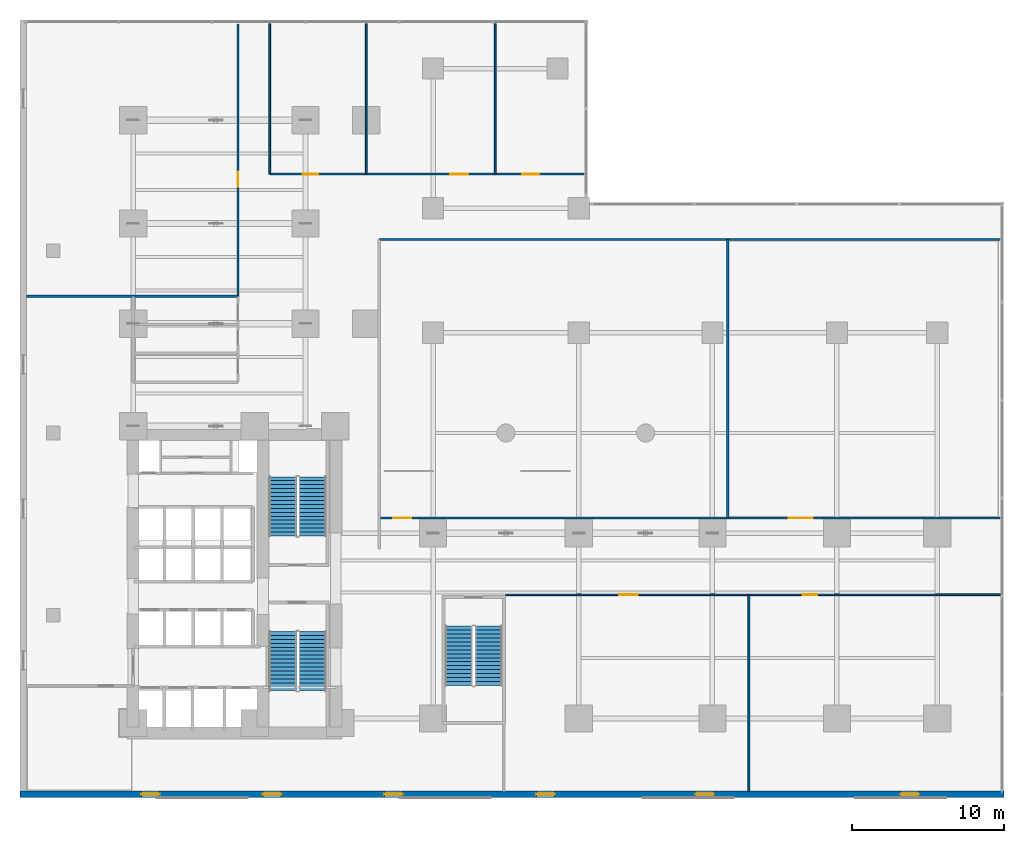
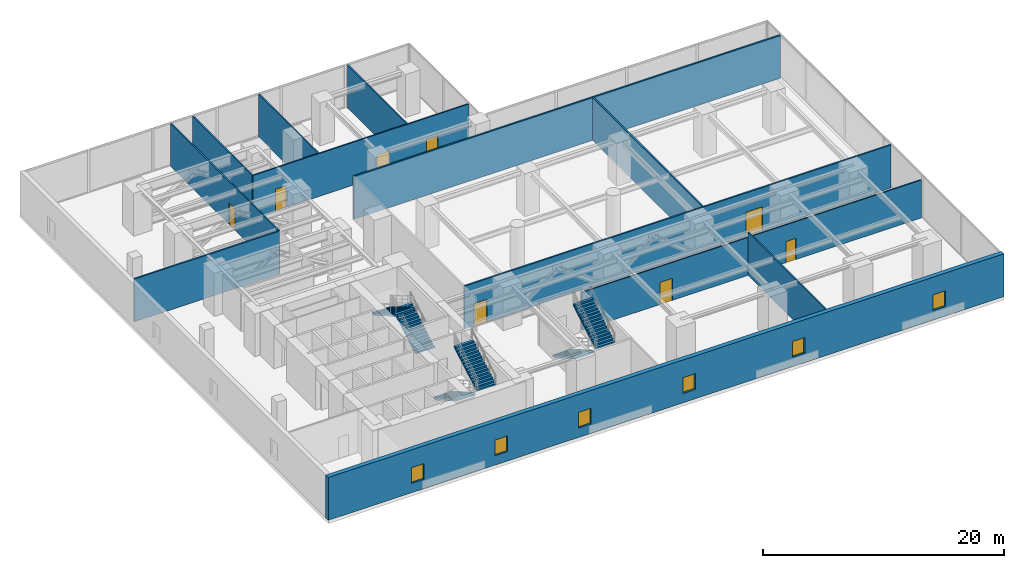
# One storey, part 16 of 18: 12 walls, 8 doors, 6 stair flights, 6 windows, 14 openings, 3 elements without a shape of their own.
"""IFC4 building model written with IfcOpenShell, lengths in metres."""

from ifc_helpers import new_model, si_unit, direction, frame, frame_2d, origin, place, context, subcontext, project, spatial, polyline, rectangle, outline, extrude, material, layer, layer_set, type_object, element, fill, aggregate, save


model = new_model("IFC4")

# Units and contexts
model_context = context("Model", 3, precision=1e-05, world=origin(), true_north=direction((0.0, 1.0)))
body_context = subcontext(model_context, "Body", "Model", "MODEL_VIEW")
ifc_project = project(units=[si_unit("LENGTHUNIT", "METRE"), si_unit("AREAUNIT", "SQUARE_METRE"), si_unit("VOLUMEUNIT", "CUBIC_METRE"), si_unit("PLANEANGLEUNIT", "RADIAN"), si_unit("MASSUNIT", "GRAM", prefix="KILO")], contexts=[model_context])

# Site, building, storey
site_placement = place(None, origin())
site = spatial("IfcSite", under=ifc_project, at=site_placement, CompositionType="ELEMENT")
building_placement = place(site_placement, origin())
building = spatial("IfcBuilding", under=site, at=building_placement, Name="Kolvaren Waterfront Exchange", CompositionType="ELEMENT")
storey_placement = place(building_placement, frame((0.0, 0.0, 24.800048828125)))
storey = spatial("IfcBuildingStorey", under=building, at=storey_placement, Name="L06", CompositionType="ELEMENT", Elevation=24.800048828125)

# Wall, openings, windows
ifc_material_1 = material(Name="Precast concrete C40/50", Category="concrete")
ifc_layer_1 = layer(ifc_material_1, 0.419921875, Name="Precast concrete C40/50")
ifc_layer_set_1 = layer_set([ifc_layer_1], Name="Precast concrete C40/50")
wall_type_1 = type_object("IfcWallType", Name="ARC-EXT-GRANITE-420", PredefinedType="SOLIDWALL", material=ifc_layer_set_1)
wall_1_placement = place(storey_placement, frame((0.0, 0.2099609375, 0.0), z_axis=(0.0, 0.0, 1.0), x_axis=(1.0, 0.0, 0.0)))
wall_1 = element("IfcWall", 1, at=wall_1_placement, inside=storey, type_object=wall_type_1, Name="L06 south granite precast facade wall", PredefinedType="SOLIDWALL", context=body_context, shape_type="SweptSolid", body=[
    extrude(rectangle(XDim=64.800048828125, YDim=0.419921875, at=frame_2d((32.39990234375, 0.0))), origin(), (0.0, 0.0, 1.0), 4.349853515625),
])
opening_1_placement = place(wall_1_placement, frame((8.0, 0.0, 0.949951171875)))
opening_1 = element("IfcOpeningElement", 2, at=opening_1_placement, cuts=wall_1, Name="Opening W01", PredefinedType="OPENING", context=body_context, shape_type="SweptSolid", body=[
    extrude(rectangle(XDim=1.199951171875, YDim=1.60009765625, at=frame_2d((0.60009765625, 0.800048828125))), frame((0.0, 0.219970703125, 0.0), z_axis=(0.0, -1.0, 0.0), x_axis=(1.0, 0.0, 0.0)), (0.0, 0.0, 1.0), 0.43994140625),
])
opening_2_placement = place(wall_1_placement, frame((16.0, 0.0, 0.949951171875)))
opening_2 = element("IfcOpeningElement", 3, at=opening_2_placement, cuts=wall_1, Name="Opening W01", PredefinedType="OPENING", context=body_context, shape_type="SweptSolid", body=[
    extrude(rectangle(XDim=1.199951171875, YDim=1.60009765625, at=frame_2d((0.60009765625, 0.800048828125))), frame((0.0, 0.219970703125, 0.0), z_axis=(0.0, -1.0, 0.0), x_axis=(1.0, 0.0, 0.0)), (0.0, 0.0, 1.0), 0.43994140625),
])
opening_3_placement = place(wall_1_placement, frame((24.0, 0.0, 0.949951171875)))
opening_3 = element("IfcOpeningElement", 4, at=opening_3_placement, cuts=wall_1, Name="Opening W01", PredefinedType="OPENING", context=body_context, shape_type="SweptSolid", body=[
    extrude(rectangle(XDim=1.199951171875, YDim=1.60009765625, at=frame_2d((0.60009765625, 0.800048828125))), frame((0.0, 0.219970703125, 0.0), z_axis=(0.0, -1.0, 0.0), x_axis=(1.0, 0.0, 0.0)), (0.0, 0.0, 1.0), 0.43994140625),
])
opening_4_placement = place(wall_1_placement, frame((34.0, 0.0, 0.949951171875)))
opening_4 = element("IfcOpeningElement", 5, at=opening_4_placement, cuts=wall_1, Name="Opening W01", PredefinedType="OPENING", context=body_context, shape_type="SweptSolid", body=[
    extrude(rectangle(XDim=1.199951171875, YDim=1.60009765625, at=frame_2d((0.60009765625, 0.800048828125))), frame((0.0, 0.219970703125, 0.0), z_axis=(0.0, -1.0, 0.0), x_axis=(1.0, 0.0, 0.0)), (0.0, 0.0, 1.0), 0.43994140625),
])
opening_5_placement = place(wall_1_placement, frame((44.5, 0.0, 0.949951171875)))
opening_5 = element("IfcOpeningElement", 6, at=opening_5_placement, cuts=wall_1, Name="Opening W01", PredefinedType="OPENING", context=body_context, shape_type="SweptSolid", body=[
    extrude(rectangle(XDim=1.199951171875, YDim=1.60009765625, at=frame_2d((0.60009765625, 0.800048828125))), frame((0.0, 0.219970703125, 0.0), z_axis=(0.0, -1.0, 0.0), x_axis=(1.0, 0.0, 0.0)), (0.0, 0.0, 1.0), 0.43994140625),
])
opening_6_placement = place(wall_1_placement, frame((58.0, 0.0, 0.949951171875)))
opening_6 = element("IfcOpeningElement", 7, at=opening_6_placement, cuts=wall_1, Name="Opening W01", PredefinedType="OPENING", context=body_context, shape_type="SweptSolid", body=[
    extrude(rectangle(XDim=1.199951171875, YDim=1.60009765625, at=frame_2d((0.60009765625, 0.800048828125))), frame((0.0, 0.219970703125, 0.0), z_axis=(0.0, -1.0, 0.0), x_axis=(1.0, 0.0, 0.0)), (0.0, 0.0, 1.0), 0.43994140625),
])
ifc_material_2 = material(Name="Bronze solar control vision glass", Category="aluminium")
window_type = type_object("IfcWindowType", Name="ARC-WIN-1200x1600", PartitioningType="SINGLE_PANEL", PredefinedType="WINDOW", material=ifc_material_2)
window_1_placement = place(opening_1_placement, origin())
window_1 = element("IfcWindow", 8, at=window_1_placement, inside=storey, type_object=window_type, Name="L06 south modular window 1", OverallHeight=1.60009765625, OverallWidth=1.199951171875, PartitioningType="SINGLE_PANEL", PredefinedType="WINDOW", context=body_context, shape_type="SweptSolid", body=[
    extrude(rectangle(XDim=1.199951171875, YDim=1.60009765625, at=frame_2d((0.60009765625, 0.800048828125))), frame((0.0, 0.030029296875, 0.0), z_axis=(0.0, -1.0, 0.0), x_axis=(1.0, 0.0, 0.0)), (0.0, 0.0, 1.0), 0.06005859375),
])
fill(opening_1, window_1)
window_2_placement = place(opening_2_placement, origin())
window_2 = element("IfcWindow", 9, at=window_2_placement, inside=storey, type_object=window_type, Name="L06 south modular window 2", OverallHeight=1.60009765625, OverallWidth=1.199951171875, PartitioningType="SINGLE_PANEL", PredefinedType="WINDOW", context=body_context, shape_type="SweptSolid", body=[
    extrude(rectangle(XDim=1.199951171875, YDim=1.60009765625, at=frame_2d((0.60009765625, 0.800048828125))), frame((0.0, 0.030029296875, 0.0), z_axis=(0.0, -1.0, 0.0), x_axis=(1.0, 0.0, 0.0)), (0.0, 0.0, 1.0), 0.06005859375),
])
fill(opening_2, window_2)
window_3_placement = place(opening_3_placement, origin())
window_3 = element("IfcWindow", 10, at=window_3_placement, inside=storey, type_object=window_type, Name="L06 south modular window 3", OverallHeight=1.60009765625, OverallWidth=1.199951171875, PartitioningType="SINGLE_PANEL", PredefinedType="WINDOW", context=body_context, shape_type="SweptSolid", body=[
    extrude(rectangle(XDim=1.199951171875, YDim=1.60009765625, at=frame_2d((0.60009765625, 0.800048828125))), frame((0.0, 0.030029296875, 0.0), z_axis=(0.0, -1.0, 0.0), x_axis=(1.0, 0.0, 0.0)), (0.0, 0.0, 1.0), 0.06005859375),
])
fill(opening_3, window_3)
window_4_placement = place(opening_4_placement, origin())
window_4 = element("IfcWindow", 11, at=window_4_placement, inside=storey, type_object=window_type, Name="L06 south modular window 4", OverallHeight=1.60009765625, OverallWidth=1.199951171875, PartitioningType="SINGLE_PANEL", PredefinedType="WINDOW", context=body_context, shape_type="SweptSolid", body=[
    extrude(rectangle(XDim=1.199951171875, YDim=1.60009765625, at=frame_2d((0.60009765625, 0.800048828125))), frame((0.0, 0.030029296875, 0.0), z_axis=(0.0, -1.0, 0.0), x_axis=(1.0, 0.0, 0.0)), (0.0, 0.0, 1.0), 0.06005859375),
])
fill(opening_4, window_4)
window_5_placement = place(opening_5_placement, origin())
window_5 = element("IfcWindow", 12, at=window_5_placement, inside=storey, type_object=window_type, Name="L06 south modular window 5", OverallHeight=1.60009765625, OverallWidth=1.199951171875, PartitioningType="SINGLE_PANEL", PredefinedType="WINDOW", context=body_context, shape_type="SweptSolid", body=[
    extrude(rectangle(XDim=1.199951171875, YDim=1.60009765625, at=frame_2d((0.60009765625, 0.800048828125))), frame((0.0, 0.030029296875, 0.0), z_axis=(0.0, -1.0, 0.0), x_axis=(1.0, 0.0, 0.0)), (0.0, 0.0, 1.0), 0.06005859375),
])
fill(opening_5, window_5)
window_6_placement = place(opening_6_placement, origin())
window_6 = element("IfcWindow", 13, at=window_6_placement, inside=storey, type_object=window_type, Name="L06 south modular window 6", OverallHeight=1.60009765625, OverallWidth=1.199951171875, PartitioningType="SINGLE_PANEL", PredefinedType="WINDOW", context=body_context, shape_type="SweptSolid", body=[
    extrude(rectangle(XDim=1.199951171875, YDim=1.60009765625, at=frame_2d((0.60009765625, 0.800048828125))), frame((0.0, 0.030029296875, 0.0), z_axis=(0.0, -1.0, 0.0), x_axis=(1.0, 0.0, 0.0)), (0.0, 0.0, 1.0), 0.06005859375),
])
fill(opening_6, window_6)

# Wall, openings, doors
ifc_material_3 = material(Name="Acoustic gypsum steel stud", Category="steel")
ifc_layer_2 = layer(ifc_material_3, 0.125, Name="Acoustic gypsum steel stud")
ifc_layer_set_2 = layer_set([ifc_layer_2], Name="Acoustic gypsum steel stud")
wall_type_2 = type_object("IfcWallType", Name="ARC-PART-125", PredefinedType="PARTITIONING", material=ifc_layer_set_2)
wall_2_placement = place(storey_placement, frame((32.0, 13.35009765625, 0.0), z_axis=(0.0, 0.0, 1.0), x_axis=(1.0, 0.0, 0.0)))
wall_2 = element("IfcWall", 14, at=wall_2_placement, inside=storey, type_object=wall_type_2, Name="L06 interior wall PW-L06-POD-SE-N", PredefinedType="PARTITIONING", context=body_context, shape_type="SweptSolid", body=[
    extrude(rectangle(XDim=32.550048828125, YDim=0.125, at=frame_2d((16.27490234375, 0.0))), origin(), (0.0, 0.0, 1.0), 3.849853515625),
])
opening_7_placement = place(wall_2_placement, frame((7.47021484375, 0.0, 0.0)))
opening_7 = element("IfcOpeningElement", 15, at=opening_7_placement, cuts=wall_2, Name="Opening D05", PredefinedType="OPENING", context=body_context, shape_type="SweptSolid", body=[
    extrude(rectangle(XDim=1.199951171875, YDim=2.25, at=frame_2d((0.60009765625, 1.125))), frame((0.0, 0.072509765625, 0.0), z_axis=(0.0, -1.0, 0.0), x_axis=(1.0, 0.0, 0.0)), (0.0, 0.0, 1.0), 0.14501953125),
])
opening_8_placement = place(wall_2_placement, frame((19.5546875, 0.0, 0.0)))
opening_8 = element("IfcOpeningElement", 16, at=opening_8_placement, cuts=wall_2, Name="Opening D02", PredefinedType="OPENING", context=body_context, shape_type="SweptSolid", body=[
    extrude(rectangle(XDim=0.949951171875, YDim=2.14990234375, at=frame_2d((0.47509765625, 1.074951171875))), frame((0.0, 0.072509765625, 0.0), z_axis=(0.0, -1.0, 0.0), x_axis=(1.0, 0.0, 0.0)), (0.0, 0.0, 1.0), 0.14501953125),
])
ifc_material_4 = material(Name="Anodised bronze framed glass", Category="aluminium")
door_type_1 = type_object("IfcDoorType", Name="ARC-DR-1200", OperationType="NOTDEFINED", PredefinedType="DOOR", material=ifc_material_4)
door_1_placement = place(opening_7_placement, origin())
door_1 = element("IfcDoor", 17, at=door_1_placement, inside=storey, type_object=door_type_1, Name="L06 door DR-L06-PCONF-D (D05)", OperationType="SINGLE_SWING_RIGHT", OverallHeight=2.25, OverallWidth=1.199951171875, PredefinedType="DOOR", context=body_context, shape_type="SweptSolid", body=[
    extrude(rectangle(XDim=1.199951171875, YDim=2.25, at=frame_2d((0.60009765625, 1.125))), frame((0.0, 0.02490234375, 0.0), z_axis=(0.0, -1.0, 0.0), x_axis=(1.0, 0.0, 0.0)), (0.0, 0.0, 1.0), 0.050048828125),
])
fill(opening_7, door_1)
ifc_material_5 = material(Name="Oak veneer acoustic timber", Category="wood")
door_type_2 = type_object("IfcDoorType", Name="ARC-DR-950", OperationType="NOTDEFINED", PredefinedType="DOOR", material=ifc_material_5)
door_2_placement = place(opening_8_placement, origin())
door_2 = element("IfcDoor", 18, at=door_2_placement, inside=storey, type_object=door_type_2, Name="L06 door DR-L06-PPANT-D (D02)", OperationType="SINGLE_SWING_LEFT", OverallHeight=2.14990234375, OverallWidth=0.949951171875, PredefinedType="DOOR", context=body_context, shape_type="SweptSolid", body=[
    extrude(rectangle(XDim=0.949951171875, YDim=2.14990234375, at=frame_2d((0.47509765625, 1.074951171875))), frame((0.0, 0.02490234375, 0.0), z_axis=(0.0, -1.0, 0.0), x_axis=(1.0, 0.0, 0.0)), (0.0, 0.0, 1.0), 0.050048828125),
])
fill(opening_8, door_2)

# Wall
wall_3_placement = place(storey_placement, frame((48.0, 0.419921875, 0.0), z_axis=(0.0, 0.0, 1.0), x_axis=(0.0, 1.0, 0.0)))
element("IfcWall", 19, at=wall_3_placement, inside=storey, type_object=wall_type_2, Name="L06 interior wall PW-L06-POD-SE-MID", PredefinedType="PARTITIONING", context=body_context, shape_type="SweptSolid", body=[
    extrude(rectangle(XDim=12.93017578125, YDim=0.125, at=frame_2d((6.465087890625, 0.0))), origin(), (0.0, 0.0, 1.0), 4.349853515625),
])

# Wall, opening, door
wall_4_placement = place(storey_placement, frame((14.35009765625, 33.0, 0.0), z_axis=(0.0, 0.0, 1.0), x_axis=(0.0, 1.0, 0.0)))
wall_4 = element("IfcWall", 20, at=wall_4_placement, inside=storey, type_object=wall_type_2, Name="L06 interior wall PW-L06-POD-NW-E", PredefinedType="PARTITIONING", context=body_context, shape_type="SweptSolid", body=[
    extrude(rectangle(XDim=17.949951171875, YDim=0.125, at=frame_2d((8.97509765625, 0.0))), origin(), (0.0, 0.0, 1.0), 4.349853515625),
])
opening_9_placement = place(wall_4_placement, frame((7.220458984375, 0.0, 0.0)))
opening_9 = element("IfcOpeningElement", 21, at=opening_9_placement, cuts=wall_4, Name="Opening D03", PredefinedType="OPENING", context=body_context, shape_type="SweptSolid", body=[
    extrude(rectangle(XDim=1.0, YDim=2.199951171875, at=frame_2d((0.5, 1.10009765625))), frame((0.0, 0.072509765625, 0.0), z_axis=(0.0, -1.0, 0.0), x_axis=(1.0, 0.0, 0.0)), (0.0, 0.0, 1.0), 0.14501953125),
])
ifc_material_6 = material(Name="Oak veneer accessible timber", Category="wood")
door_type_3 = type_object("IfcDoorType", Name="ARC-DR-1000", OperationType="NOTDEFINED", PredefinedType="DOOR", material=ifc_material_6)
door_3_placement = place(opening_9_placement, origin())
door_3 = element("IfcDoor", 22, at=door_3_placement, inside=storey, type_object=door_type_3, Name="L06 door DR-L06-PIT-D (D03)", OperationType="SINGLE_SWING_RIGHT", OverallHeight=2.199951171875, OverallWidth=1.0, PredefinedType="DOOR", context=body_context, shape_type="SweptSolid", body=[
    extrude(rectangle(XDim=1.0, YDim=2.199951171875, at=frame_2d((0.5, 1.10009765625))), frame((0.0, 0.02490234375, 0.0), z_axis=(0.0, -1.0, 0.0), x_axis=(1.0, 0.0, 0.0)), (0.0, 0.0, 1.0), 0.050048828125),
])
fill(opening_9, door_3)

# Wall, openings, doors
wall_5_placement = place(storey_placement, frame((16.449951171875, 41.050048828125, 0.0), z_axis=(0.0, 0.0, 1.0), x_axis=(1.0, 0.0, 0.0)))
wall_5 = element("IfcWall", 23, at=wall_5_placement, inside=storey, type_object=wall_type_2, Name="L06 interior wall PW-L06-POD-NE-S", PredefinedType="PARTITIONING", context=body_context, shape_type="SweptSolid", body=[
    extrude(rectangle(XDim=20.699951171875, YDim=0.125, at=frame_2d((10.35009765625, 0.0))), origin(), (0.0, 0.0, 1.0), 4.349853515625),
])
opening_10_placement = place(wall_5_placement, frame((2.177978515625, 0.0, 0.0)))
opening_10 = element("IfcOpeningElement", 24, at=opening_10_placement, cuts=wall_5, Name="Opening D03", PredefinedType="OPENING", context=body_context, shape_type="SweptSolid", body=[
    extrude(rectangle(XDim=1.0, YDim=2.199951171875, at=frame_2d((0.5, 1.10009765625))), frame((0.0, 0.072509765625, 0.0), z_axis=(0.0, -1.0, 0.0), x_axis=(1.0, 0.0, 0.0)), (0.0, 0.0, 1.0), 0.14501953125),
])
opening_11_placement = place(wall_5_placement, frame((11.880859375, 0.0, 0.0)))
opening_11 = element("IfcOpeningElement", 25, at=opening_11_placement, cuts=wall_5, Name="Opening D05", PredefinedType="OPENING", context=body_context, shape_type="SweptSolid", body=[
    extrude(rectangle(XDim=1.199951171875, YDim=2.25, at=frame_2d((0.60009765625, 1.125))), frame((0.0, 0.072509765625, 0.0), z_axis=(0.0, -1.0, 0.0), x_axis=(1.0, 0.0, 0.0)), (0.0, 0.0, 1.0), 0.14501953125),
])
opening_12_placement = place(wall_5_placement, frame((16.62890625, 0.0, 0.0)))
opening_12 = element("IfcOpeningElement", 26, at=opening_12_placement, cuts=wall_5, Name="Opening D04", PredefinedType="OPENING", context=body_context, shape_type="SweptSolid", body=[
    extrude(rectangle(XDim=1.10009765625, YDim=2.199951171875, at=frame_2d((0.550048828125, 1.10009765625))), frame((0.0, 0.072509765625, 0.0), z_axis=(0.0, -1.0, 0.0), x_axis=(1.0, 0.0, 0.0)), (0.0, 0.0, 1.0), 0.14501953125),
])
door_4_placement = place(opening_10_placement, origin())
door_4 = element("IfcDoor", 27, at=door_4_placement, inside=storey, type_object=door_type_3, Name="L06 door DR-L06-POPS-D (D03)", OperationType="SINGLE_SWING_LEFT", OverallHeight=2.199951171875, OverallWidth=1.0, PredefinedType="DOOR", context=body_context, shape_type="SweptSolid", body=[
    extrude(rectangle(XDim=1.0, YDim=2.199951171875, at=frame_2d((0.5, 1.10009765625))), frame((0.0, 0.02490234375, 0.0), z_axis=(0.0, -1.0, 0.0), x_axis=(1.0, 0.0, 0.0)), (0.0, 0.0, 1.0), 0.050048828125),
])
fill(opening_10, door_4)
door_type_4 = type_object("IfcDoorType", Name="ARC-DR-1100", OperationType="NOTDEFINED", PredefinedType="DOOR", material=ifc_material_4)
door_5_placement = place(opening_12_placement, origin())
door_5 = element("IfcDoor", 28, at=door_5_placement, inside=storey, type_object=door_type_4, Name="L06 door DR-L06-PFOY2-D (D04)", OperationType="SINGLE_SWING_LEFT", OverallHeight=2.199951171875, OverallWidth=1.10009765625, PredefinedType="DOOR", context=body_context, shape_type="SweptSolid", body=[
    extrude(rectangle(XDim=1.10009765625, YDim=2.199951171875, at=frame_2d((0.550048828125, 1.10009765625))), frame((0.0, 0.02490234375, 0.0), z_axis=(0.0, -1.0, 0.0), x_axis=(1.0, 0.0, 0.0)), (0.0, 0.0, 1.0), 0.050048828125),
])
fill(opening_12, door_5)
door_6_placement = place(opening_11_placement, origin())
door_6 = element("IfcDoor", 29, at=door_6_placement, inside=storey, type_object=door_type_1, Name="L06 door DR-L06-PFOY1-D (D05)", OperationType="SINGLE_SWING_RIGHT", OverallHeight=2.25, OverallWidth=1.199951171875, PredefinedType="DOOR", context=body_context, shape_type="SweptSolid", body=[
    extrude(rectangle(XDim=1.199951171875, YDim=2.25, at=frame_2d((0.60009765625, 1.125))), frame((0.0, 0.02490234375, 0.0), z_axis=(0.0, -1.0, 0.0), x_axis=(1.0, 0.0, 0.0)), (0.0, 0.0, 1.0), 0.050048828125),
])
fill(opening_11, door_6)

# Walls
for number, where, z_axis, x_axis, name in (
    (30, (16.449951171875, 41.050048828125, 0.0), (0.0, 0.0, 1.0), (0.0, 1.0, 0.0), "L06 interior wall PW-L06-POD-NE-W0"),
    (31, (22.800048828125, 41.050048828125, 0.0), (0.0, 0.0, 1.0), (0.0, 1.0, 0.0), "L06 interior wall PW-L06-POD-NE-M1"),
    (32, (31.300048828125, 41.050048828125, 0.0), (0.0, 0.0, 1.0), (0.0, 1.0, 0.0), "L06 interior wall PW-L06-POD-NE-M2"),
):
    element("IfcWall", number, at=place(storey_placement, frame(where, z_axis=z_axis, x_axis=x_axis)), inside=storey, type_object=wall_type_2, Name=name, PredefinedType="PARTITIONING", context=body_context, shape_type="SweptSolid", body=[
        extrude(rectangle(XDim=9.89990234375, YDim=0.125, at=frame_2d((4.949951171875, 0.0))), origin(), (0.0, 0.0, 1.0), 4.349853515625),
    ])

# Wall, openings, doors
ifc_material_7 = material(Name="Gypsum fireboard steel stud", Category="steel")
ifc_layer_3 = layer(ifc_material_7, 0.14990234375, Name="Gypsum fireboard steel stud")
ifc_layer_set_3 = layer_set([ifc_layer_3], Name="Gypsum fireboard steel stud")
wall_type_3 = type_object("IfcWallType", Name="ARC-PART-150", PredefinedType="PARTITIONING", material=ifc_layer_set_3)
wall_6_placement = place(storey_placement, frame((23.64990234375, 18.39990234375, 0.0), z_axis=(0.0, 0.0, 1.0), x_axis=(1.0, 0.0, 0.0)))
wall_6 = element("IfcWall", 33, at=wall_6_placement, inside=storey, type_object=wall_type_3, Name="L06 interior wall PW-L06-POD-HALL-S", PredefinedType="PARTITIONING", context=body_context, shape_type="SweptSolid", body=[
    extrude(rectangle(XDim=40.900146484375, YDim=0.14990234375, at=frame_2d((20.4501953125, 0.0))), origin(), (0.0, 0.0, 1.0), 4.349853515625),
])
opening_13_placement = place(wall_6_placement, frame((0.9287109375, 0.0, 0.0)))
opening_13 = element("IfcOpeningElement", 34, at=opening_13_placement, cuts=wall_6, Name="Opening D05", PredefinedType="OPENING", context=body_context, shape_type="SweptSolid", body=[
    extrude(rectangle(XDim=1.199951171875, YDim=2.25, at=frame_2d((0.60009765625, 1.125))), frame((0.0, 0.0849609375, 0.0), z_axis=(0.0, -1.0, 0.0), x_axis=(1.0, 0.0, 0.0)), (0.0, 0.0, 1.0), 0.169921875),
])
opening_14_placement = place(wall_6_placement, frame((26.970947265625, 0.0, 0.0)))
opening_14 = element("IfcOpeningElement", 35, at=opening_14_placement, cuts=wall_6, Name="Opening D07", PredefinedType="OPENING", context=body_context, shape_type="SweptSolid", body=[
    extrude(rectangle(XDim=1.60009765625, YDim=2.39990234375, at=frame_2d((0.800048828125, 1.199951171875))), frame((0.0, 0.0849609375, 0.0), z_axis=(0.0, -1.0, 0.0), x_axis=(1.0, 0.0, 0.0)), (0.0, 0.0, 1.0), 0.169921875),
])
door_7_placement = place(opening_13_placement, origin())
door_7 = element("IfcDoor", 36, at=door_7_placement, inside=storey, type_object=door_type_1, Name="L06 door DR-L06-PM1-D (D05)", OperationType="SINGLE_SWING_RIGHT", OverallHeight=2.25, OverallWidth=1.199951171875, PredefinedType="DOOR", context=body_context, shape_type="SweptSolid", body=[
    extrude(rectangle(XDim=1.199951171875, YDim=2.25, at=frame_2d((0.60009765625, 1.125))), frame((0.0, 0.02490234375, 0.0), z_axis=(0.0, -1.0, 0.0), x_axis=(1.0, 0.0, 0.0)), (0.0, 0.0, 1.0), 0.050048828125),
])
fill(opening_13, door_7)
ifc_material_8 = material(Name="Anodised bronze double leaf", Category="aluminium")
door_type_5 = type_object("IfcDoorType", Name="ARC-DR-1600", OperationType="NOTDEFINED", PredefinedType="DOOR", material=ifc_material_8)
door_8_placement = place(opening_14_placement, origin())
door_8 = element("IfcDoor", 37, at=door_8_placement, inside=storey, type_object=door_type_5, Name="L06 door DR-L06-PM2-D (D07)", OperationType="SINGLE_SWING_LEFT", OverallHeight=2.39990234375, OverallWidth=1.60009765625, PredefinedType="DOOR", context=body_context, shape_type="SweptSolid", body=[
    extrude(rectangle(XDim=1.60009765625, YDim=2.39990234375, at=frame_2d((0.800048828125, 1.199951171875))), frame((0.0, 0.02490234375, 0.0), z_axis=(0.0, -1.0, 0.0), x_axis=(1.0, 0.0, 0.0)), (0.0, 0.0, 1.0), 0.050048828125),
])
fill(opening_14, door_8)

# Walls
wall_7_placement = place(storey_placement, frame((46.60009765625, 18.39990234375, 0.0), z_axis=(0.0, 0.0, 1.0), x_axis=(0.0, 1.0, 0.0)))
element("IfcWall", 38, at=wall_7_placement, inside=storey, type_object=wall_type_3, Name="L06 interior wall PW-L06-POD-HALL-MID", PredefinedType="PARTITIONING", context=body_context, shape_type="SweptSolid", body=[
    extrude(rectangle(XDim=18.35009765625, YDim=0.14990234375, at=frame_2d((9.175048828125, 0.0))), origin(), (0.0, 0.0, 1.0), 4.349853515625),
])
wall_8_placement = place(storey_placement, frame((23.64990234375, 36.75, 0.0), z_axis=(0.0, 0.0, 1.0), x_axis=(1.0, 0.0, 0.0)))
element("IfcWall", 39, at=wall_8_placement, inside=storey, type_object=wall_type_3, Name="L06 interior wall PW-L06-POD-HALL-N", PredefinedType="PARTITIONING", context=body_context, shape_type="SweptSolid", body=[
    extrude(rectangle(XDim=40.900146484375, YDim=0.14990234375, at=frame_2d((20.4501953125, 0.0))), origin(), (0.0, 0.0, 1.0), 4.349853515625),
])
ifc_material_9 = material(Name="Moisture-resistant gypsum stud")
ifc_layer_4 = layer(ifc_material_9, 0.14990234375, Name="Moisture-resistant gypsum stud")
ifc_layer_set_4 = layer_set([ifc_layer_4], Name="Moisture-resistant gypsum stud")
wall_type_4 = type_object("IfcWallType", Name="ARC-PLUMB-150", PredefinedType="PLUMBINGWALL", material=ifc_layer_set_4)
wall_9_placement = place(storey_placement, frame((0.419921875, 33.0, 0.0), z_axis=(0.0, 0.0, 1.0), x_axis=(1.0, 0.0, 0.0)))
element("IfcWall", 40, at=wall_9_placement, inside=storey, type_object=wall_type_4, Name="L06 interior wall PW-L06-WC-N3", PredefinedType="PLUMBINGWALL", context=body_context, shape_type="SweptSolid", body=[
    extrude(rectangle(XDim=13.93017578125, YDim=0.14990234375, at=frame_2d((6.965087890625, 0.0))), origin(), (0.0, 0.0, 1.0), 4.349853515625),
])

# Stair, stair flights
ifc_material_10 = material(Name="Concrete C40/50", Category="concrete")
stair_type = type_object("IfcStairType", Name="ARC-STAIR-4800", PredefinedType="HALF_TURN_STAIR", material=ifc_material_10)
stair_1_placement = place(storey_placement, origin())
stair_1 = element("IfcStair", 41, at=stair_1_placement, inside=storey, type_object=stair_type, Name="L06 Smoke-proof exit stair ST1", PredefinedType="HALF_TURN_STAIR")
stair_flight_type = type_object("IfcStairFlightType", Name="ARC-FLIGHT-4800", PredefinedType="STRAIGHT", material=ifc_material_10)
stair_flight_1_placement = place(storey_placement, frame((17.300048828125, 10.929931640625, 0.0), z_axis=(0.0, 0.0, 1.0), x_axis=(0.0, -1.0, 0.0)))
stair_flight_1 = element("IfcStairFlight", 42, at=stair_flight_1_placement, type_object=stair_flight_type, Name="ST1 flight 1", NumberOfRisers=16, NumberOfTreads=15, PredefinedType="STRAIGHT", RiserHeight=0.15, TreadLength=0.26, context=body_context, shape_type="SweptSolid", body=[
    extrude(outline(polyline([(0.0, 0.0), (0.0, 0.14990234375), (0.260009765625, 0.14990234375), (0.260009765625, 0.300048828125), (0.52001953125, 0.300048828125), (0.52001953125, 0.449951171875), (0.780029296875, 0.449951171875), (0.780029296875, 0.60009765625), (1.0400390625, 0.60009765625), (1.0400390625, 0.75), (1.300048828125, 0.75), (1.300048828125, 0.89990234375), (1.56005859375, 0.89990234375), (1.56005859375, 1.050048828125), (1.820068359375, 1.050048828125), (1.820068359375, 1.199951171875), (2.080078125, 1.199951171875), (2.080078125, 1.35009765625), (2.340087890625, 1.35009765625), (2.340087890625, 1.5), (2.60009765625, 1.5), (2.60009765625, 1.64990234375), (2.860107421875, 1.64990234375), (2.860107421875, 1.800048828125), (3.1201171875, 1.800048828125), (3.1201171875, 1.949951171875), (3.3798828125, 1.949951171875), (3.3798828125, 2.10009765625), (3.639892578125, 2.10009765625), (3.639892578125, 2.25), (3.89990234375, 2.25), (3.89990234375, 2.39990234375), (3.89990234375, 2.076904296875), (0.300048828125, 0.0), (0.0, 0.0)])), frame((0.0, 0.89990234375, 0.0), z_axis=(0.0, -1.0, 0.0), x_axis=(1.0, 0.0, 0.0)), (0.0, 0.0, 1.0), 1.800048828125),
])
stair_flight_2_placement = place(storey_placement, frame((19.260009765625, 7.030029296875, 2.39990234375), z_axis=(0.0, 0.0, 1.0), x_axis=(0.0, 1.0, 0.0)))
stair_flight_2 = element("IfcStairFlight", 43, at=stair_flight_2_placement, type_object=stair_flight_type, Name="ST1 flight 2", NumberOfRisers=16, NumberOfTreads=15, PredefinedType="STRAIGHT", RiserHeight=0.15, TreadLength=0.26, context=body_context, shape_type="SweptSolid", body=[
    extrude(outline(polyline([(0.0, 0.0), (0.0, 0.14990234375), (0.260009765625, 0.14990234375), (0.260009765625, 0.300048828125), (0.52001953125, 0.300048828125), (0.52001953125, 0.449951171875), (0.780029296875, 0.449951171875), (0.780029296875, 0.60009765625), (1.0400390625, 0.60009765625), (1.0400390625, 0.75), (1.300048828125, 0.75), (1.300048828125, 0.89990234375), (1.56005859375, 0.89990234375), (1.56005859375, 1.050048828125), (1.820068359375, 1.050048828125), (1.820068359375, 1.199951171875), (2.080078125, 1.199951171875), (2.080078125, 1.35009765625), (2.340087890625, 1.35009765625), (2.340087890625, 1.5), (2.60009765625, 1.5), (2.60009765625, 1.64990234375), (2.860107421875, 1.64990234375), (2.860107421875, 1.800048828125), (3.1201171875, 1.800048828125), (3.1201171875, 1.949951171875), (3.3798828125, 1.949951171875), (3.3798828125, 2.10009765625), (3.639892578125, 2.10009765625), (3.639892578125, 2.25), (3.89990234375, 2.25), (3.89990234375, 2.39990234375), (3.89990234375, 2.076904296875), (0.300048828125, 0.0), (0.0, 0.0)])), frame((0.0, 0.89990234375, 0.0), z_axis=(0.0, -1.0, 0.0), x_axis=(1.0, 0.0, 0.0)), (0.0, 0.0, 1.0), 1.800048828125),
])
aggregate(stair_1, [stair_flight_1, stair_flight_2])

stair_2_placement = place(storey_placement, origin())
stair_2 = element("IfcStair", 44, at=stair_2_placement, inside=storey, type_object=stair_type, Name="L06 Smoke-proof exit stair ST2", PredefinedType="HALF_TURN_STAIR")
stair_flight_3_placement = place(storey_placement, frame((19.260009765625, 17.219970703125, 0.0), z_axis=(0.0, 0.0, 1.0), x_axis=(0.0, 1.0, 0.0)))
stair_flight_3 = element("IfcStairFlight", 45, at=stair_flight_3_placement, type_object=stair_flight_type, Name="ST2 flight 1", NumberOfRisers=16, NumberOfTreads=15, PredefinedType="STRAIGHT", RiserHeight=0.15, TreadLength=0.26, context=body_context, shape_type="SweptSolid", body=[
    extrude(outline(polyline([(0.0, 0.0), (0.0, 0.14990234375), (0.260009765625, 0.14990234375), (0.260009765625, 0.300048828125), (0.52001953125, 0.300048828125), (0.52001953125, 0.449951171875), (0.780029296875, 0.449951171875), (0.780029296875, 0.60009765625), (1.0400390625, 0.60009765625), (1.0400390625, 0.75), (1.300048828125, 0.75), (1.300048828125, 0.89990234375), (1.56005859375, 0.89990234375), (1.56005859375, 1.050048828125), (1.820068359375, 1.050048828125), (1.820068359375, 1.199951171875), (2.080078125, 1.199951171875), (2.080078125, 1.35009765625), (2.340087890625, 1.35009765625), (2.340087890625, 1.5), (2.60009765625, 1.5), (2.60009765625, 1.64990234375), (2.860107421875, 1.64990234375), (2.860107421875, 1.800048828125), (3.1201171875, 1.800048828125), (3.1201171875, 1.949951171875), (3.3798828125, 1.949951171875), (3.3798828125, 2.10009765625), (3.639892578125, 2.10009765625), (3.639892578125, 2.25), (3.89990234375, 2.25), (3.89990234375, 2.39990234375), (3.89990234375, 2.076904296875), (0.300048828125, 0.0), (0.0, 0.0)])), frame((0.0, 0.89990234375, 0.0), z_axis=(0.0, -1.0, 0.0), x_axis=(1.0, 0.0, 0.0)), (0.0, 0.0, 1.0), 1.800048828125),
])
stair_flight_4_placement = place(storey_placement, frame((17.300048828125, 21.1201171875, 2.39990234375), z_axis=(0.0, 0.0, 1.0), x_axis=(0.0, -1.0, 0.0)))
stair_flight_4 = element("IfcStairFlight", 46, at=stair_flight_4_placement, type_object=stair_flight_type, Name="ST2 flight 2", NumberOfRisers=16, NumberOfTreads=15, PredefinedType="STRAIGHT", RiserHeight=0.15, TreadLength=0.26, context=body_context, shape_type="SweptSolid", body=[
    extrude(outline(polyline([(0.0, 0.0), (0.0, 0.14990234375), (0.260009765625, 0.14990234375), (0.260009765625, 0.300048828125), (0.52001953125, 0.300048828125), (0.52001953125, 0.449951171875), (0.780029296875, 0.449951171875), (0.780029296875, 0.60009765625), (1.0400390625, 0.60009765625), (1.0400390625, 0.75), (1.300048828125, 0.75), (1.300048828125, 0.89990234375), (1.56005859375, 0.89990234375), (1.56005859375, 1.050048828125), (1.820068359375, 1.050048828125), (1.820068359375, 1.199951171875), (2.080078125, 1.199951171875), (2.080078125, 1.35009765625), (2.340087890625, 1.35009765625), (2.340087890625, 1.5), (2.60009765625, 1.5), (2.60009765625, 1.64990234375), (2.860107421875, 1.64990234375), (2.860107421875, 1.800048828125), (3.1201171875, 1.800048828125), (3.1201171875, 1.949951171875), (3.3798828125, 1.949951171875), (3.3798828125, 2.10009765625), (3.639892578125, 2.10009765625), (3.639892578125, 2.25), (3.89990234375, 2.25), (3.89990234375, 2.39990234375), (3.89990234375, 2.076904296875), (0.300048828125, 0.0), (0.0, 0.0)])), frame((0.0, 0.89990234375, 0.0), z_axis=(0.0, -1.0, 0.0), x_axis=(1.0, 0.0, 0.0)), (0.0, 0.0, 1.0), 1.800048828125),
])
aggregate(stair_2, [stair_flight_3, stair_flight_4])

stair_3_placement = place(storey_placement, origin())
stair_3 = element("IfcStair", 47, at=stair_3_placement, inside=storey, type_object=stair_type, Name="L06 Exit stair ST3", PredefinedType="HALF_TURN_STAIR")
stair_flight_5_placement = place(storey_placement, frame((28.89990234375, 11.280029296875, 0.0), z_axis=(0.0, 0.0, 1.0), x_axis=(0.0, -1.0, 0.0)))
stair_flight_5 = element("IfcStairFlight", 48, at=stair_flight_5_placement, type_object=stair_flight_type, Name="ST3 flight 1", NumberOfRisers=16, NumberOfTreads=15, PredefinedType="STRAIGHT", RiserHeight=0.15, TreadLength=0.26, context=body_context, shape_type="SweptSolid", body=[
    extrude(outline(polyline([(0.0, 0.0), (0.0, 0.14990234375), (0.260009765625, 0.14990234375), (0.260009765625, 0.300048828125), (0.52001953125, 0.300048828125), (0.52001953125, 0.449951171875), (0.780029296875, 0.449951171875), (0.780029296875, 0.60009765625), (1.0400390625, 0.60009765625), (1.0400390625, 0.75), (1.300048828125, 0.75), (1.300048828125, 0.89990234375), (1.56005859375, 0.89990234375), (1.56005859375, 1.050048828125), (1.820068359375, 1.050048828125), (1.820068359375, 1.199951171875), (2.080078125, 1.199951171875), (2.080078125, 1.35009765625), (2.340087890625, 1.35009765625), (2.340087890625, 1.5), (2.60009765625, 1.5), (2.60009765625, 1.64990234375), (2.860107421875, 1.64990234375), (2.860107421875, 1.800048828125), (3.1201171875, 1.800048828125), (3.1201171875, 1.949951171875), (3.3798828125, 1.949951171875), (3.3798828125, 2.10009765625), (3.639892578125, 2.10009765625), (3.639892578125, 2.25), (3.89990234375, 2.25), (3.89990234375, 2.39990234375), (3.89990234375, 2.076904296875), (0.300048828125, 0.0), (0.0, 0.0)])), frame((0.0, 0.89990234375, 0.0), z_axis=(0.0, -1.0, 0.0), x_axis=(1.0, 0.0, 0.0)), (0.0, 0.0, 1.0), 1.800048828125),
])
stair_flight_6_placement = place(storey_placement, frame((30.860107421875, 7.3798828125, 2.39990234375), z_axis=(0.0, 0.0, 1.0), x_axis=(0.0, 1.0, 0.0)))
stair_flight_6 = element("IfcStairFlight", 49, at=stair_flight_6_placement, type_object=stair_flight_type, Name="ST3 flight 2", NumberOfRisers=16, NumberOfTreads=15, PredefinedType="STRAIGHT", RiserHeight=0.15, TreadLength=0.26, context=body_context, shape_type="SweptSolid", body=[
    extrude(outline(polyline([(0.0, 0.0), (0.0, 0.14990234375), (0.260009765625, 0.14990234375), (0.260009765625, 0.300048828125), (0.52001953125, 0.300048828125), (0.52001953125, 0.449951171875), (0.780029296875, 0.449951171875), (0.780029296875, 0.60009765625), (1.0400390625, 0.60009765625), (1.0400390625, 0.75), (1.300048828125, 0.75), (1.300048828125, 0.89990234375), (1.56005859375, 0.89990234375), (1.56005859375, 1.050048828125), (1.820068359375, 1.050048828125), (1.820068359375, 1.199951171875), (2.080078125, 1.199951171875), (2.080078125, 1.35009765625), (2.340087890625, 1.35009765625), (2.340087890625, 1.5), (2.60009765625, 1.5), (2.60009765625, 1.64990234375), (2.860107421875, 1.64990234375), (2.860107421875, 1.800048828125), (3.1201171875, 1.800048828125), (3.1201171875, 1.949951171875), (3.3798828125, 1.949951171875), (3.3798828125, 2.10009765625), (3.639892578125, 2.10009765625), (3.639892578125, 2.25), (3.89990234375, 2.25), (3.89990234375, 2.39990234375), (3.89990234375, 2.076904296875), (0.300048828125, 0.0), (0.0, 0.0)])), frame((0.0, 0.89990234375, 0.0), z_axis=(0.0, -1.0, 0.0), x_axis=(1.0, 0.0, 0.0)), (0.0, 0.0, 1.0), 1.800048828125),
])
aggregate(stair_3, [stair_flight_5, stair_flight_6])

save(model, "model.ifc")
